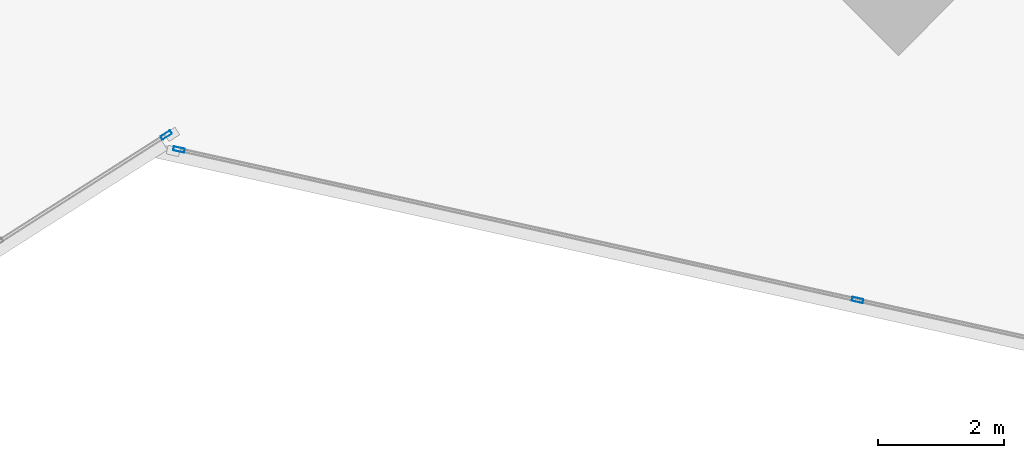
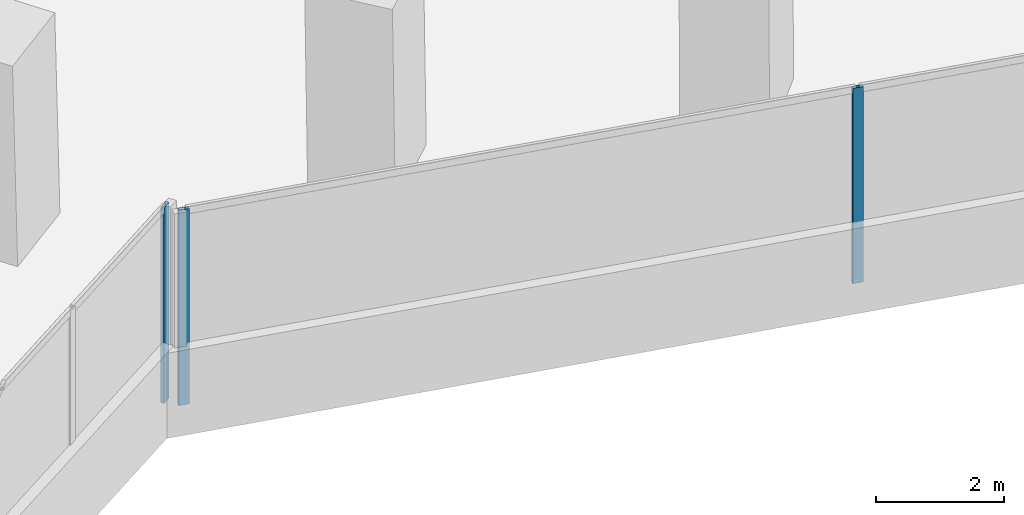
# One storey, part 8 of 26: 3 members, 2 elements without a shape of their own.
"""IFC4 building model written with IfcOpenShell, lengths in metres."""

from ifc_helpers import new_model, si_unit, direction, frame, origin, origin_2d, place, context, subcontext, project, spatial, hollow_rectangle, extrude, source, transform, mapped, material, material_profile, profile_set, type_object, element, aggregate, save


model = new_model("IFC4")

# Units and contexts
model_context = context("Model", 3, precision=1e-05, world=origin(), true_north=direction((0.0, 1.0)))
body_context = subcontext(model_context, "Body", "Model", "MODEL_VIEW")
ifc_project = project(units=[si_unit("LENGTHUNIT", "METRE"), si_unit("AREAUNIT", "SQUARE_METRE"), si_unit("VOLUMEUNIT", "CUBIC_METRE"), si_unit("PLANEANGLEUNIT", "RADIAN"), si_unit("MASSUNIT", "GRAM", prefix="KILO")], contexts=[model_context])

# Site, building, storey
site_placement = place(None, origin())
site = spatial("IfcSite", under=ifc_project, at=site_placement, CompositionType="ELEMENT")
building_placement = place(site_placement, origin())
building = spatial("IfcBuilding", under=site, at=building_placement, Name="Torre Montelarca", CompositionType="ELEMENT")
storey_placement = place(building_placement, frame((0.0, 0.0, 95.800048828125)))
storey = spatial("IfcBuildingStorey", under=building, at=storey_placement, Name="L21", CompositionType="ELEMENT", Elevation=95.800048828125)

# Curtain wall, member
ifc_material_1 = material(Name="Insulated low-E laminated glass", Category="glass")
curtain_wall_type = type_object("IfcCurtainWallType", Name="CW-SYS-Z1", PredefinedType="USERDEFINED", material=ifc_material_1)
curtain_wall_1_placement = place(storey_placement, origin())
curtain_wall_1 = element("IfcCurtainWall", 1, at=curtain_wall_1_placement, inside=storey, type_object=curtain_wall_type, Name="L21 Curtain Wall Run CW-T3-L21-E02-B1", ObjectType="UNITISED GLAZING", PredefinedType="USERDEFINED")
ifc_material_2 = material(Name="Anodised aluminium AA 6063-T6", Category="aluminium")
ifc_material_profile = material_profile(ifc_material_2, hollow_rectangle(XDim=0.06494140625, YDim=0.179931640625, WallThickness=0.00390625, InnerFilletRadius=0.00390625, OuterFilletRadius=0.008056640625, at=origin_2d()), Name="ALU65X180X4", Category="aluminium")
ifc_profile_set = profile_set([ifc_material_profile], Name="Anodised aluminium AA 6063-T6")
member_type = type_object("IfcMemberType", Name="CWM-ALU180", PredefinedType="MULLION", material=ifc_profile_set)
shared_shape = source(origin(), body_context, "Body", "SweptSolid", [
    extrude(hollow_rectangle(XDim=0.06494140625, YDim=0.179931640625, WallThickness=0.00390625, InnerFilletRadius=0.00390625, OuterFilletRadius=0.008056640625, at=origin_2d()), origin(), (0.0, 0.0, 1.0), 3.719970703125),
])
member_1_placement = place(storey_placement, frame((33.642578125, 15.4921875, 0.0), z_axis=(0.0, 0.0, 1.0), x_axis=(-0.537312197398, 0.843383425571, 0.0)))
member_1 = element("IfcMember", 2, at=member_1_placement, type_object=member_type, Name="CW mullion 3", PredefinedType="MULLION", context=body_context, shape_type="MappedRepresentation", body=[
    mapped(shared_shape, transform((0.0, 0.0, 0.0), scale=1.0)),
])
aggregate(curtain_wall_1, [member_1])

# Curtain wall, members
curtain_wall_2_placement = place(storey_placement, origin())
curtain_wall_2 = element("IfcCurtainWall", 3, at=curtain_wall_2_placement, inside=storey, type_object=curtain_wall_type, Name="L21 Curtain Wall Run CW-T3-L21-E04-B1", ObjectType="UNITISED GLAZING", PredefinedType="USERDEFINED")
member_2_placement = place(storey_placement, frame((33.84423828125, 15.261474609375, 0.0), z_axis=(0.0, 0.0, 1.0), x_axis=(0.216436780664, 0.976296635237, 0.0)))
member_2 = element("IfcMember", 4, at=member_2_placement, type_object=member_type, Name="CW mullion 1", PredefinedType="MULLION", context=body_context, shape_type="MappedRepresentation", body=[
    mapped(shared_shape, transform((0.0, 0.0, 0.0), scale=1.0)),
])
member_3_placement = place(storey_placement, frame((44.5966796875, 12.877685546875, 0.0), z_axis=(0.0, 0.0, 1.0), x_axis=(0.216436780664, 0.976296635237, 0.0)))
member_3 = element("IfcMember", 5, at=member_3_placement, type_object=member_type, Name="CW mullion 2", PredefinedType="MULLION", context=body_context, shape_type="MappedRepresentation", body=[
    mapped(shared_shape, transform((0.0, 0.0, 0.0), scale=1.0)),
])
aggregate(curtain_wall_2, [member_2, member_3])

save(model, "model.ifc")
